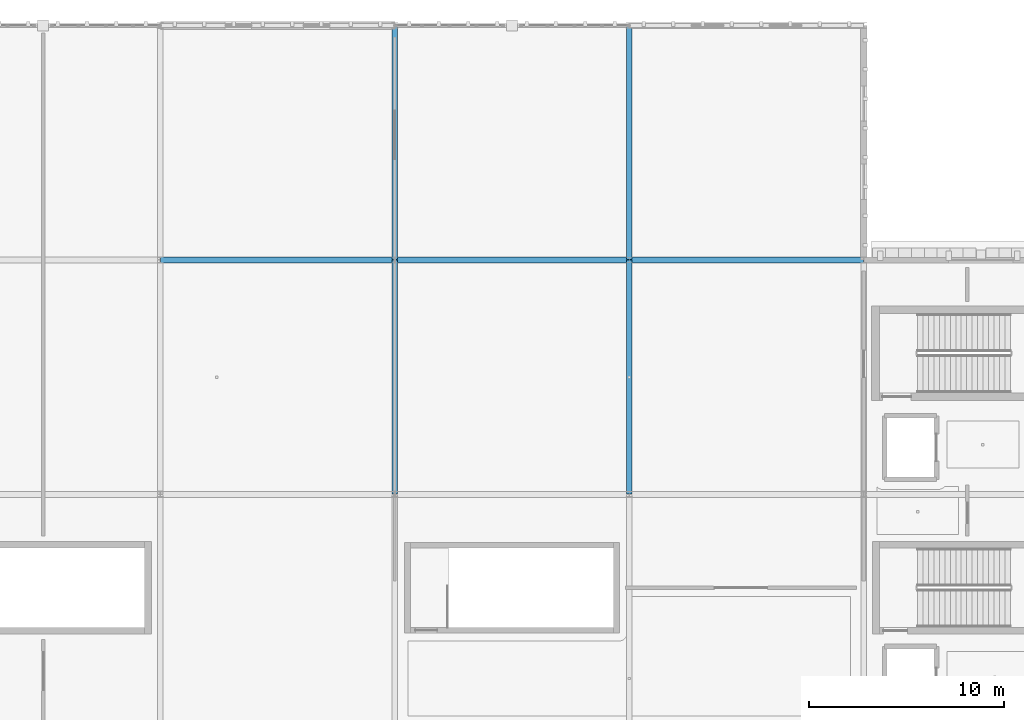
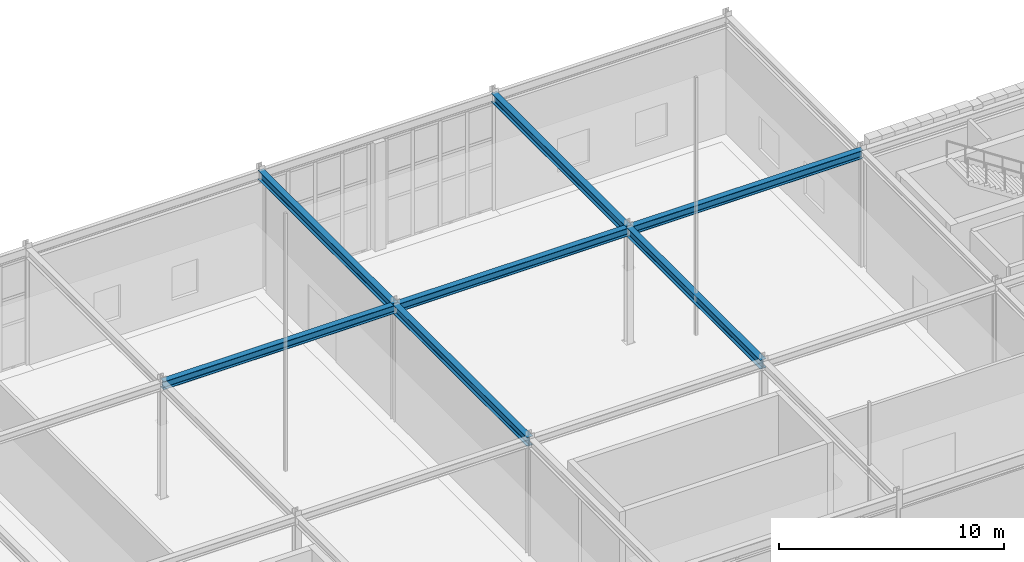
# One storey, part 21 of 62: 7 beams.
"""IFC4 building model written with IfcOpenShell, lengths in metres."""

from ifc_helpers import new_model, si_unit, direction, frame, origin, origin_2d, place, context, subcontext, project, spatial, i_section, extrude, material, material_profile, profile_set, type_object, element, save


model = new_model("IFC4")

# Units and contexts
model_context = context("Model", 3, precision=1e-05, world=origin(), true_north=direction((0.0, 1.0)))
body_context = subcontext(model_context, "Body", "Model", "MODEL_VIEW")
ifc_project = project(units=[si_unit("LENGTHUNIT", "METRE"), si_unit("AREAUNIT", "SQUARE_METRE"), si_unit("VOLUMEUNIT", "CUBIC_METRE"), si_unit("PLANEANGLEUNIT", "RADIAN"), si_unit("MASSUNIT", "GRAM", prefix="KILO")], contexts=[model_context])

# Site, building, storey
site_placement = place(None, origin())
site = spatial("IfcSite", under=ifc_project, at=site_placement, CompositionType="ELEMENT")
building_placement = place(site_placement, origin())
building = spatial("IfcBuilding", under=site, at=building_placement, Name="Zlatogorsky Bluff Art Gallery", CompositionType="ELEMENT")
storey_placement = place(building_placement, frame((0.0, 0.0, 16.800048828125)))
storey = spatial("IfcBuildingStorey", under=building, at=storey_placement, Name="L03", CompositionType="ELEMENT", Elevation=16.800048828125)

# Beams
ifc_material = material(Name="Steel S355", Category="steel")
ifc_material_profile_1 = material_profile(ifc_material, i_section(OverallWidth=0.300048828125, OverallDepth=0.489990234375, WebThickness=0.011962890625, FlangeThickness=0.02294921875, FilletRadius=0.027099609375, at=origin_2d()), Name="HEA 500")
ifc_profile_set_1 = profile_set([ifc_material_profile_1], Name="Steel S355")
beam_type_1 = type_object("IfcBeamType", Name="Beam BM-07 HEA 500", PredefinedType="BEAM", material=ifc_profile_set_1)
for number, where, z_axis, x_axis, name in (
    (1, (96.0, 96.014892578125, 6.0849609375), (0.0, 1.0, 0.0), (-1.0, 0.0, 0.0), "Primary girder BM-07 L03 J/10-11"),
    (2, (96.0, 108.014892578125, 6.0849609375), (0.0, 1.0, 0.0), (-1.0, 0.0, 0.0), "Primary girder BM-07 L03 J/11-12"),
    (3, (108.0, 96.014892578125, 6.0849609375), (0.0, 1.0, 0.0), (-1.0, 0.0, 0.0), "Primary girder BM-07 L03 K/10-11"),
    (4, (108.0, 108.014892578125, 6.0849609375), (0.0, 1.0, 0.0), (-1.0, 0.0, 0.0), "Primary girder BM-07 L03 K/11-12"),
):
    element("IfcBeam", number, at=place(storey_placement, frame(where, z_axis=z_axis, x_axis=x_axis)), inside=storey, type_object=beam_type_1, Name=name, PredefinedType="BEAM", context=body_context, shape_type="SweptSolid", body=[
        extrude(i_section(OverallWidth=0.300048828125, OverallDepth=0.489990234375, WebThickness=0.011962890625, FlangeThickness=0.02294921875, FilletRadius=0.027099609375, at=origin_2d()), origin(), (0.0, 0.0, 1.0), 11.97021484375),
    ])
ifc_material_profile_2 = material_profile(ifc_material, i_section(OverallWidth=0.300048828125, OverallDepth=0.43994140625, WebThickness=0.011474609375, FlangeThickness=0.02099609375, FilletRadius=0.027099609375, at=origin_2d()), Name="HEA 450")
ifc_profile_set_2 = profile_set([ifc_material_profile_2], Name="Steel S355")
beam_type_2 = type_object("IfcBeamType", Name="Beam BM-08 HEA 450", PredefinedType="BEAM", material=ifc_profile_set_2)
for number, where, z_axis, x_axis, name in (
    (5, (84.014892578125, 108.0, 6.10986328125), (1.0, 0.0, 0.0), (0.0, 1.0, 0.0), "Primary girder BM-08 L03 H-J/11"),
    (6, (96.014892578125, 108.0, 6.10986328125), (1.0, 0.0, 0.0), (0.0, 1.0, 0.0), "Primary girder BM-08 L03 J-K/11"),
    (7, (108.014892578125, 108.0, 6.10986328125), (1.0, 0.0, 0.0), (0.0, 1.0, 0.0), "Primary girder BM-08 L03 K-L/11"),
):
    element("IfcBeam", number, at=place(storey_placement, frame(where, z_axis=z_axis, x_axis=x_axis)), inside=storey, type_object=beam_type_2, Name=name, PredefinedType="BEAM", context=body_context, shape_type="SweptSolid", body=[
        extrude(i_section(OverallWidth=0.300048828125, OverallDepth=0.43994140625, WebThickness=0.011474609375, FlangeThickness=0.02099609375, FilletRadius=0.027099609375, at=origin_2d()), origin(), (0.0, 0.0, 1.0), 11.97021484375),
    ])

save(model, "model.ifc")
